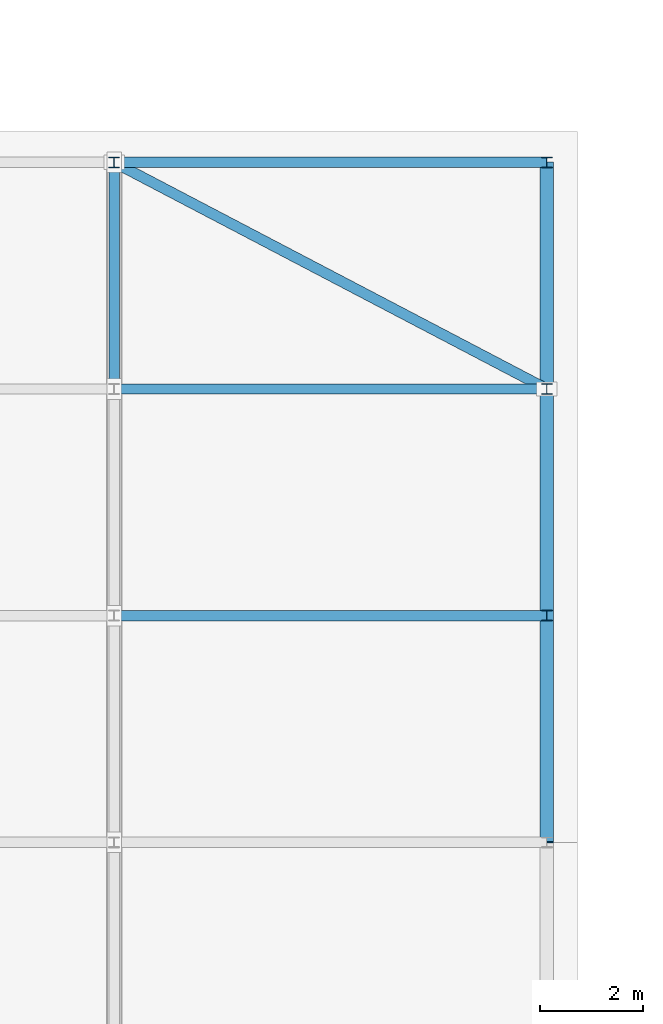
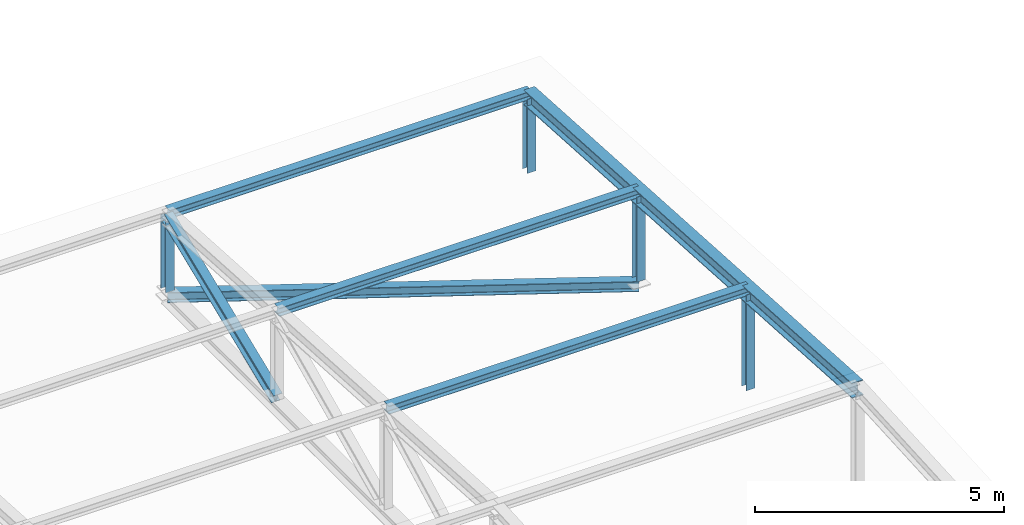
# One storey, part 20 of 49: 10 members.
"""IFC4 building model written with IfcOpenShell, lengths in metres."""

from ifc_helpers import new_model, si_unit, direction, frame, origin, origin_2d, place, context, subcontext, project, spatial, i_section, extrude, material, material_profile, profile_set, type_object, element, save


model = new_model("IFC4")

# Units and contexts
model_context = context("Model", 3, precision=1e-05, world=origin(), true_north=direction((0.0, 1.0)))
body_context = subcontext(model_context, "Body", "Model", "MODEL_VIEW")
ifc_project = project(units=[si_unit("LENGTHUNIT", "METRE"), si_unit("AREAUNIT", "SQUARE_METRE"), si_unit("VOLUMEUNIT", "CUBIC_METRE"), si_unit("PLANEANGLEUNIT", "RADIAN"), si_unit("MASSUNIT", "GRAM", prefix="KILO")], contexts=[model_context])

# Site, building, storey
site_placement = place(None, origin())
site = spatial("IfcSite", under=ifc_project, at=site_placement, CompositionType="ELEMENT")
building_placement = place(site_placement, origin())
building = spatial("IfcBuilding", under=site, at=building_placement, Name="Kemercrest Conservatory and Botanical Centre", CompositionType="ELEMENT")
storey_placement = place(building_placement, frame((0.0, 0.0, 13.199951171875)))
storey = spatial("IfcBuildingStorey", under=building, at=storey_placement, Name="L03", CompositionType="ELEMENT", Elevation=13.199951171875)

# Members
ifc_material = material(Name="Steel CSA G40.21 350W", Category="steel")
ifc_material_profile_1 = material_profile(ifc_material, i_section(OverallWidth=0.202880859375, OverallDepth=0.251953125, WebThickness=0.008056640625, FlangeThickness=0.013427734375, FilletRadius=0.010986328125, at=origin_2d()), Name="W250X58")
ifc_profile_set_1 = profile_set([ifc_material_profile_1], Name="Steel CSA G40.21 350W")
member_type_1 = type_object("IfcMemberType", Name="BR-LAT250", PredefinedType="BRACE", material=ifc_profile_set_1)
member_1_placement = place(storey_placement, frame((100.39990234375, 38.800048828125, -0.14990234375), z_axis=(-0.885833551011, 0.464003146437, 0.0), x_axis=(-0.464003146437, -0.885833551011, 0.0)))
element("IfcMember", 1, at=member_1_placement, inside=storey, type_object=member_type_1, Name="Roof diaphragm corner wind brace BR-LAT250", PredefinedType="BRACE", context=body_context, shape_type="SweptSolid", body=[
    extrude(i_section(OverallWidth=0.202880859375, OverallDepth=0.251953125, WebThickness=0.008056640625, FlangeThickness=0.013427734375, FilletRadius=0.010986328125, at=origin_2d()), origin(), (0.0, 0.0, 1.0), 9.482421875),
])
ifc_material_profile_2 = material_profile(ifc_material, i_section(OverallWidth=0.202880859375, OverallDepth=0.202880859375, WebThickness=0.007080078125, FlangeThickness=0.010986328125, FilletRadius=0.010009765625, at=origin_2d()), Name="W200X46")
ifc_profile_set_2 = profile_set([ifc_material_profile_2], Name="Steel CSA G40.21 350W")
member_type_2 = type_object("IfcMemberType", Name="PR-W200", PredefinedType="PURLIN", material=ifc_profile_set_2)
for number, where, z_axis, x_axis, name in (
    (2, (92.0, 34.39990234375, 2.413330078125), (1.0, 0.0, 0.0), (0.0, 1.0, 0.0), "Auditorium roof purlin P4"),
    (3, (92.0, 38.800048828125, 2.146728515625), (1.0, 0.0, 0.0), (0.0, 1.0, 0.0), "Auditorium roof purlin P5"),
    (4, (92.0, 43.199951171875, 1.880126953125), (1.0, 0.0, 0.0), (0.0, 1.0, 0.0), "Auditorium roof purlin P6"),
):
    element("IfcMember", number, at=place(storey_placement, frame(where, z_axis=z_axis, x_axis=x_axis)), inside=storey, type_object=member_type_2, Name=name, PredefinedType="PURLIN", context=body_context, shape_type="SweptSolid", body=[
        extrude(i_section(OverallWidth=0.202880859375, OverallDepth=0.202880859375, WebThickness=0.007080078125, FlangeThickness=0.010986328125, FilletRadius=0.010009765625, at=origin_2d()), origin(), (0.0, 0.0, 1.0), 8.39990234375),
    ])
ifc_material_profile_3 = material_profile(ifc_material, i_section(OverallWidth=0.257080078125, OverallDepth=0.363037109375, WebThickness=0.012939453125, FlangeThickness=0.021728515625, FilletRadius=0.01611328125, at=origin_2d()), Name="W360X122")
ifc_profile_set_3 = profile_set([ifc_material_profile_3], Name="Steel CSA G40.21 350W")
member_type_3 = type_object("IfcMemberType", Name="TR-TC360", PredefinedType="CHORD", material=ifc_profile_set_3)
member_2_placement = place(storey_placement, frame((100.39990234375, 30.0, 2.60009765625), z_axis=(0.0, 0.998168260152, -0.060498962186), x_axis=(-1.0, 0.0, 0.0)))
element("IfcMember", 5, at=member_2_placement, inside=storey, type_object=member_type_3, Name="Auditorium gable north rafter 12", PredefinedType="CHORD", context=body_context, shape_type="SweptSolid", body=[
    extrude(i_section(OverallWidth=0.257080078125, OverallDepth=0.363037109375, WebThickness=0.012939453125, FlangeThickness=0.021728515625, FilletRadius=0.01611328125, at=origin_2d()), origin(), (0.0, 0.0, 1.0), 13.22412109375),
])
ifc_material_profile_4 = material_profile(ifc_material, i_section(OverallWidth=0.202880859375, OverallDepth=0.202880859375, WebThickness=0.007080078125, FlangeThickness=0.010986328125, FilletRadius=0.010009765625, at=origin_2d()), Name="W200X46")
ifc_profile_set_4 = profile_set([ifc_material_profile_4], Name="Steel CSA G40.21 350W")
member_type_4 = type_object("IfcMemberType", Name="TR-VRT200", PredefinedType="BRACE", material=ifc_profile_set_4)
member_3_placement = place(storey_placement, frame((92.0, 43.199951171875, -0.014892578125), z_axis=(0.0, 0.0, 1.0), x_axis=(1.0, 0.0, 0.0)))
element("IfcMember", 6, at=member_3_placement, inside=storey, type_object=member_type_4, Name="Auditorium Roof Truss Vertical Strut 11-V6", PredefinedType="BRACE", context=body_context, shape_type="SweptSolid", body=[
    extrude(i_section(OverallWidth=0.202880859375, OverallDepth=0.202880859375, WebThickness=0.007080078125, FlangeThickness=0.010986328125, FilletRadius=0.010009765625, at=origin_2d()), origin(), (0.0, 0.0, 1.0), 1.81494140625),
])
member_4_placement = place(storey_placement, frame((100.39990234375, 34.39990234375, -0.014892578125), z_axis=(0.0, 0.0, 1.0), x_axis=(1.0, 0.0, 0.0)))
element("IfcMember", 7, at=member_4_placement, inside=storey, type_object=member_type_4, Name="Auditorium Gable Post Strut 12-V4", PredefinedType="BRACE", context=body_context, shape_type="SweptSolid", body=[
    extrude(i_section(OverallWidth=0.202880859375, OverallDepth=0.202880859375, WebThickness=0.007080078125, FlangeThickness=0.010986328125, FilletRadius=0.010009765625, at=origin_2d()), origin(), (0.0, 0.0, 1.0), 2.34814453125),
])
member_5_placement = place(storey_placement, frame((100.39990234375, 38.800048828125, -0.014892578125), z_axis=(0.0, 0.0, 1.0), x_axis=(1.0, 0.0, 0.0)))
element("IfcMember", 8, at=member_5_placement, inside=storey, type_object=member_type_4, Name="Auditorium Gable Post Strut 12-V5", PredefinedType="BRACE", context=body_context, shape_type="SweptSolid", body=[
    extrude(i_section(OverallWidth=0.202880859375, OverallDepth=0.202880859375, WebThickness=0.007080078125, FlangeThickness=0.010986328125, FilletRadius=0.010009765625, at=origin_2d()), origin(), (0.0, 0.0, 1.0), 2.08154296875),
])
member_6_placement = place(storey_placement, frame((100.39990234375, 43.199951171875, -0.014892578125), z_axis=(0.0, 0.0, 1.0), x_axis=(1.0, 0.0, 0.0)))
element("IfcMember", 9, at=member_6_placement, inside=storey, type_object=member_type_4, Name="Auditorium Gable Post Strut 12-V6", PredefinedType="BRACE", context=body_context, shape_type="SweptSolid", body=[
    extrude(i_section(OverallWidth=0.202880859375, OverallDepth=0.202880859375, WebThickness=0.007080078125, FlangeThickness=0.010986328125, FilletRadius=0.010009765625, at=origin_2d()), origin(), (0.0, 0.0, 1.0), 1.81494140625),
])
ifc_material_profile_5 = material_profile(ifc_material, i_section(OverallWidth=0.202880859375, OverallDepth=0.251953125, WebThickness=0.008056640625, FlangeThickness=0.013427734375, FilletRadius=0.010986328125, at=origin_2d()), Name="W250X58")
ifc_profile_set_5 = profile_set([ifc_material_profile_5], Name="Steel CSA G40.21 350W")
member_type_5 = type_object("IfcMemberType", Name="TR-WEB250", PredefinedType="BRACE", material=ifc_profile_set_5)
member_7_placement = place(storey_placement, frame((92.0, 38.800048828125, -0.014892578125), z_axis=(0.0, 0.925918062478, 0.377724425443), x_axis=(-1.0, 0.0, 0.0)))
element("IfcMember", 10, at=member_7_placement, inside=storey, type_object=member_type_5, Name="Auditorium Roof Truss Web Diagonal 11-D5", PredefinedType="BRACE", context=body_context, shape_type="SweptSolid", body=[
    extrude(i_section(OverallWidth=0.202880859375, OverallDepth=0.251953125, WebThickness=0.008056640625, FlangeThickness=0.013427734375, FilletRadius=0.010986328125, at=origin_2d()), origin(), (0.0, 0.0, 1.0), 4.751953125),
])

save(model, "model.ifc")
